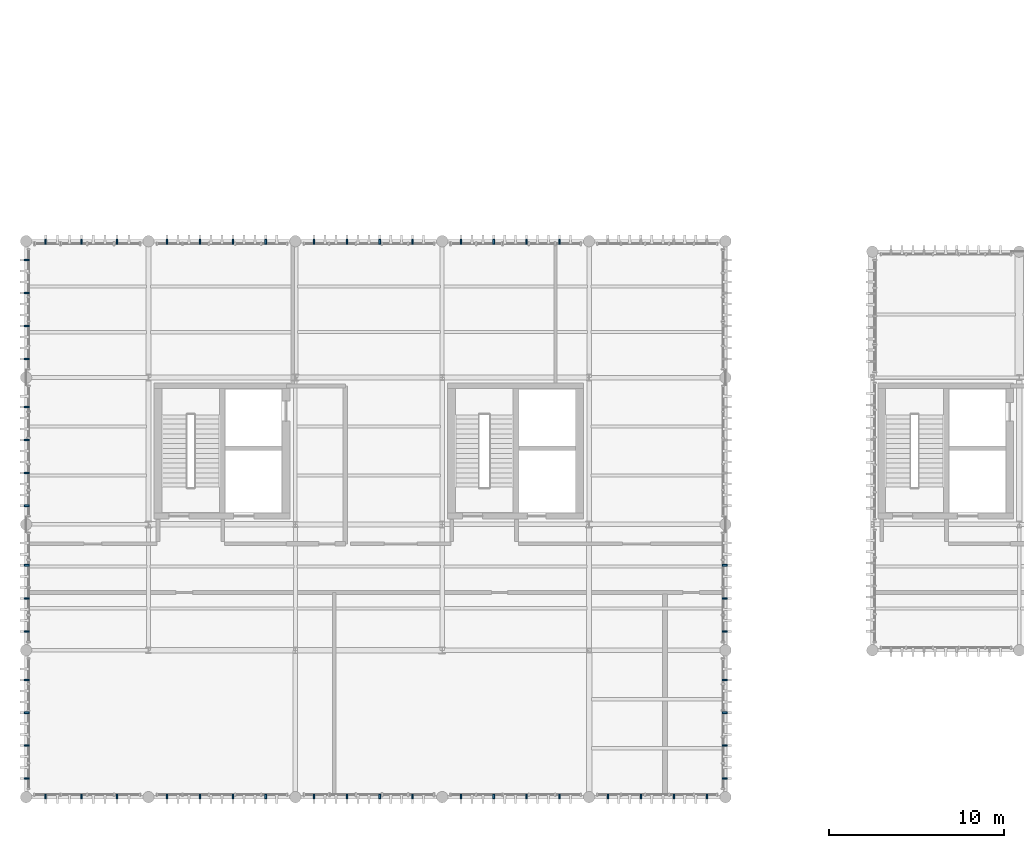
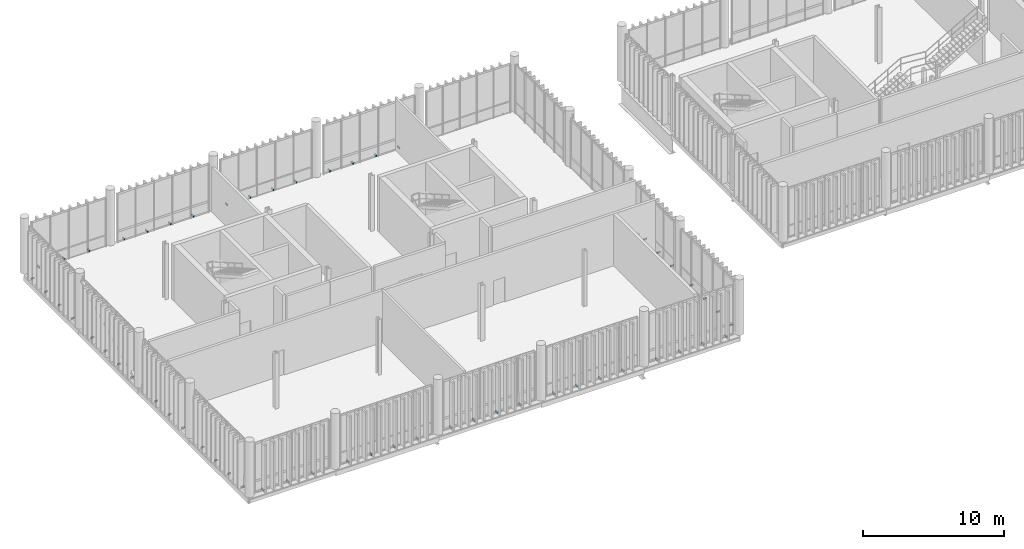
# One storey, part 76 of 86: 56 discrete accessories.
"""IFC4 building model written with IfcOpenShell, lengths in metres."""

from ifc_helpers import new_model, si_unit, direction, frame, origin_with_axes, origin_2d_with_axis, place, context, subcontext, project, spatial, rectangle, extrude, material, type_object, element, save


model = new_model("IFC4")

# Units and contexts
model_context = context("Model", 3, precision=1e-05, world=origin_with_axes(), true_north=direction((0.0, 1.0)))
body_context = subcontext(model_context, "Body", "Model", "MODEL_VIEW")
ifc_project = project(units=[si_unit("LENGTHUNIT", "METRE"), si_unit("AREAUNIT", "SQUARE_METRE"), si_unit("VOLUMEUNIT", "CUBIC_METRE"), si_unit("PLANEANGLEUNIT", "RADIAN"), si_unit("MASSUNIT", "GRAM", prefix="KILO"), si_unit("THERMODYNAMICTEMPERATUREUNIT", "KELVIN")], contexts=[model_context])

# Site, building, storey
site_placement = place(None, origin_with_axes())
site = spatial("IfcSite", under=ifc_project, at=site_placement, CompositionType="ELEMENT")
building_placement = place(site_placement, origin_with_axes())
building = spatial("IfcBuilding", under=site, at=building_placement, Name="Montbau Bow Law Courts", CompositionType="ELEMENT")
storey_placement = place(building_placement, frame((0.0, 0.0, 29.7), z_axis=(0.0, 0.0, 1.0), x_axis=(1.0, 0.0, 0.0)))
storey = spatial("IfcBuildingStorey", under=building, at=storey_placement, Name="L06", CompositionType="ELEMENT", Elevation=29.7)

# Discrete accessories
ifc_material = material(Name="Stainless Steel AISI 316L Outrigger Louvre Bracket", Category="steel")
discrete_accessory_type = type_object("IfcDiscreteAccessoryType", Name="DA-BRK-01", PredefinedType="BRACKET", material=ifc_material)
for number, where, z_axis, x_axis, name in (
    (1, (7.92, 30.64, 29.7), (0.0, 0.0, 1.0), (0.0, -1.0, 0.0), "BRK-L06-0299:brk_0299"),
    (2, (9.96, 30.64, 29.7), (0.0, 0.0, 1.0), (0.0, -1.0, 0.0), "BRK-L06-0300:brk_0300"),
    (3, (12.0, 30.64, 29.7), (0.0, 0.0, 1.0), (0.0, -1.0, 0.0), "BRK-L06-0301:brk_0301"),
    (4, (14.867, 30.64, 29.7), (0.0, 0.0, 1.0), (0.0, -1.0, 0.0), "BRK-L06-0302:brk_0302"),
    (5, (16.747, 30.64, 29.7), (0.0, 0.0, 1.0), (0.0, -1.0, 0.0), "BRK-L06-0303:brk_0303"),
    (6, (18.627, 30.64, 29.7), (0.0, 0.0, 1.0), (0.0, -1.0, 0.0), "BRK-L06-0304:brk_0304"),
    (7, (20.507, 30.64, 29.7), (0.0, 0.0, 1.0), (0.0, -1.0, 0.0), "BRK-L06-0305:brk_0305"),
    (8, (23.267, 30.64, 29.7), (0.0, 0.0, 1.0), (0.0, -1.0, 0.0), "BRK-L06-0306:brk_0306"),
    (9, (25.147, 30.64, 29.7), (0.0, 0.0, 1.0), (0.0, -1.0, 0.0), "BRK-L06-0307:brk_0307"),
    (10, (27.027, 30.64, 29.7), (0.0, 0.0, 1.0), (0.0, -1.0, 0.0), "BRK-L06-0308:brk_0308"),
    (11, (28.907, 30.64, 29.7), (0.0, 0.0, 1.0), (0.0, -1.0, 0.0), "BRK-L06-0309:brk_0309"),
    (12, (31.667, 30.64, 29.7), (0.0, 0.0, 1.0), (0.0, -1.0, 0.0), "BRK-L06-0310:brk_0310"),
    (13, (33.547, 30.64, 29.7), (0.0, 0.0, 1.0), (0.0, -1.0, 0.0), "BRK-L06-0311:brk_0311"),
    (14, (35.427, 30.64, 29.7), (0.0, 0.0, 1.0), (0.0, -1.0, 0.0), "BRK-L06-0312:brk_0312"),
    (15, (37.307, 30.64, 29.7), (0.0, 0.0, 1.0), (0.0, -1.0, 0.0), "BRK-L06-0313:brk_0313"),
    (16, (40.069, 30.64, 29.7), (0.0, 0.0, 1.0), (0.0, -1.0, 0.0), "BRK-L06-0314:brk_0314"),
    (17, (41.956, 30.64, 29.7), (0.0, 0.0, 1.0), (0.0, -1.0, 0.0), "BRK-L06-0315:brk_0315"),
    (18, (43.844, 30.64, 29.7), (0.0, 0.0, 1.0), (0.0, -1.0, 0.0), "BRK-L06-0316:brk_0316"),
    (19, (45.731, 30.64, 29.7), (0.0, 0.0, 1.0), (0.0, -1.0, 0.0), "BRK-L06-0317:brk_0317"),
    (20, (7.92, 62.36, 29.7), (0.0, 0.0, 1.0), (0.0, 1.0, 0.0), "BRK-L06-0318:brk_0318"),
    (21, (9.96, 62.36, 29.7), (0.0, 0.0, 1.0), (0.0, 1.0, 0.0), "BRK-L06-0319:brk_0319"),
    (22, (12.0, 62.36, 29.7), (0.0, 0.0, 1.0), (0.0, 1.0, 0.0), "BRK-L06-0320:brk_0320"),
    (23, (14.867, 62.36, 29.7), (0.0, 0.0, 1.0), (0.0, 1.0, 0.0), "BRK-L06-0321:brk_0321"),
    (24, (16.747, 62.36, 29.7), (0.0, 0.0, 1.0), (0.0, 1.0, 0.0), "BRK-L06-0322:brk_0322"),
    (25, (18.627, 62.36, 29.7), (0.0, 0.0, 1.0), (0.0, 1.0, 0.0), "BRK-L06-0323:brk_0323"),
    (26, (20.507, 62.36, 29.7), (0.0, 0.0, 1.0), (0.0, 1.0, 0.0), "BRK-L06-0324:brk_0324"),
    (27, (23.267, 62.36, 29.7), (0.0, 0.0, 1.0), (0.0, 1.0, 0.0), "BRK-L06-0325:brk_0325"),
    (28, (25.147, 62.36, 29.7), (0.0, 0.0, 1.0), (0.0, 1.0, 0.0), "BRK-L06-0326:brk_0326"),
    (29, (27.027, 62.36, 29.7), (0.0, 0.0, 1.0), (0.0, 1.0, 0.0), "BRK-L06-0327:brk_0327"),
    (30, (28.907, 62.36, 29.7), (0.0, 0.0, 1.0), (0.0, 1.0, 0.0), "BRK-L06-0328:brk_0328"),
    (31, (31.667, 62.36, 29.7), (0.0, 0.0, 1.0), (0.0, 1.0, 0.0), "BRK-L06-0329:brk_0329"),
    (32, (33.547, 62.36, 29.7), (0.0, 0.0, 1.0), (0.0, 1.0, 0.0), "BRK-L06-0330:brk_0330"),
    (33, (35.427, 62.36, 29.7), (0.0, 0.0, 1.0), (0.0, 1.0, 0.0), "BRK-L06-0331:brk_0331"),
    (34, (37.307, 62.36, 29.7), (0.0, 0.0, 1.0), (0.0, 1.0, 0.0), "BRK-L06-0332:brk_0332"),
    (35, (6.84, 31.667, 29.7), (0.0, 0.0, 1.0), (-1.0, 0.0, 0.0), "BRK-L06-0337:brk_0337"),
    (36, (6.84, 33.547, 29.7), (0.0, 0.0, 1.0), (-1.0, 0.0, 0.0), "BRK-L06-0338:brk_0338"),
    (37, (6.84, 35.427, 29.7), (0.0, 0.0, 1.0), (-1.0, 0.0, 0.0), "BRK-L06-0339:brk_0339"),
    (38, (6.84, 37.307, 29.7), (0.0, 0.0, 1.0), (-1.0, 0.0, 0.0), "BRK-L06-0340:brk_0340"),
    (39, (6.84, 40.072, 29.7), (0.0, 0.0, 1.0), (-1.0, 0.0, 0.0), "BRK-L06-0341:brk_0341"),
    (40, (6.84, 41.968, 29.7), (0.0, 0.0, 1.0), (-1.0, 0.0, 0.0), "BRK-L06-0342:brk_0342"),
    (41, (6.84, 43.864, 29.7), (0.0, 0.0, 1.0), (-1.0, 0.0, 0.0), "BRK-L06-0343:brk_0343"),
    (42, (6.84, 47.267, 29.7), (0.0, 0.0, 1.0), (-1.0, 0.0, 0.0), "BRK-L06-0344:brk_0344"),
    (43, (6.84, 49.147, 29.7), (0.0, 0.0, 1.0), (-1.0, 0.0, 0.0), "BRK-L06-0345:brk_0345"),
    (44, (6.84, 51.027, 29.7), (0.0, 0.0, 1.0), (-1.0, 0.0, 0.0), "BRK-L06-0346:brk_0346"),
    (45, (6.84, 52.907, 29.7), (0.0, 0.0, 1.0), (-1.0, 0.0, 0.0), "BRK-L06-0347:brk_0347"),
    (46, (6.84, 55.669, 29.7), (0.0, 0.0, 1.0), (-1.0, 0.0, 0.0), "BRK-L06-0348:brk_0348"),
    (47, (6.84, 57.556, 29.7), (0.0, 0.0, 1.0), (-1.0, 0.0, 0.0), "BRK-L06-0349:brk_0349"),
    (48, (6.84, 59.444, 29.7), (0.0, 0.0, 1.0), (-1.0, 0.0, 0.0), "BRK-L06-0350:brk_0350"),
    (49, (6.84, 61.331, 29.7), (0.0, 0.0, 1.0), (-1.0, 0.0, 0.0), "BRK-L06-0351:brk_0351"),
    (50, (46.76, 31.667, 29.7), (0.0, 0.0, 1.0), (1.0, 0.0, 0.0), "BRK-L06-0352:brk_0352"),
    (51, (46.76, 33.547, 29.7), (0.0, 0.0, 1.0), (1.0, 0.0, 0.0), "BRK-L06-0353:brk_0353"),
    (52, (46.76, 35.427, 29.7), (0.0, 0.0, 1.0), (1.0, 0.0, 0.0), "BRK-L06-0354:brk_0354"),
    (53, (46.76, 37.307, 29.7), (0.0, 0.0, 1.0), (1.0, 0.0, 0.0), "BRK-L06-0355:brk_0355"),
    (54, (46.76, 40.072, 29.7), (0.0, 0.0, 1.0), (1.0, 0.0, 0.0), "BRK-L06-0356:brk_0356"),
    (55, (46.76, 41.968, 29.7), (0.0, 0.0, 1.0), (1.0, 0.0, 0.0), "BRK-L06-0357:brk_0357"),
    (56, (46.76, 43.864, 29.7), (0.0, 0.0, 1.0), (1.0, 0.0, 0.0), "BRK-L06-0358:brk_0358"),
):
    element("IfcDiscreteAccessory", number, at=place(None, frame(where, z_axis=z_axis, x_axis=x_axis)), inside=storey, type_object=discrete_accessory_type, Name=name, PredefinedType="BRACKET", context=body_context, shape_type="SweptSolid", body=[
        extrude(rectangle(XDim=0.28, YDim=0.09, at=origin_2d_with_axis()), origin_with_axes(), (0.0, 0.0, 1.0), 0.12),
    ])

save(model, "model.ifc")
